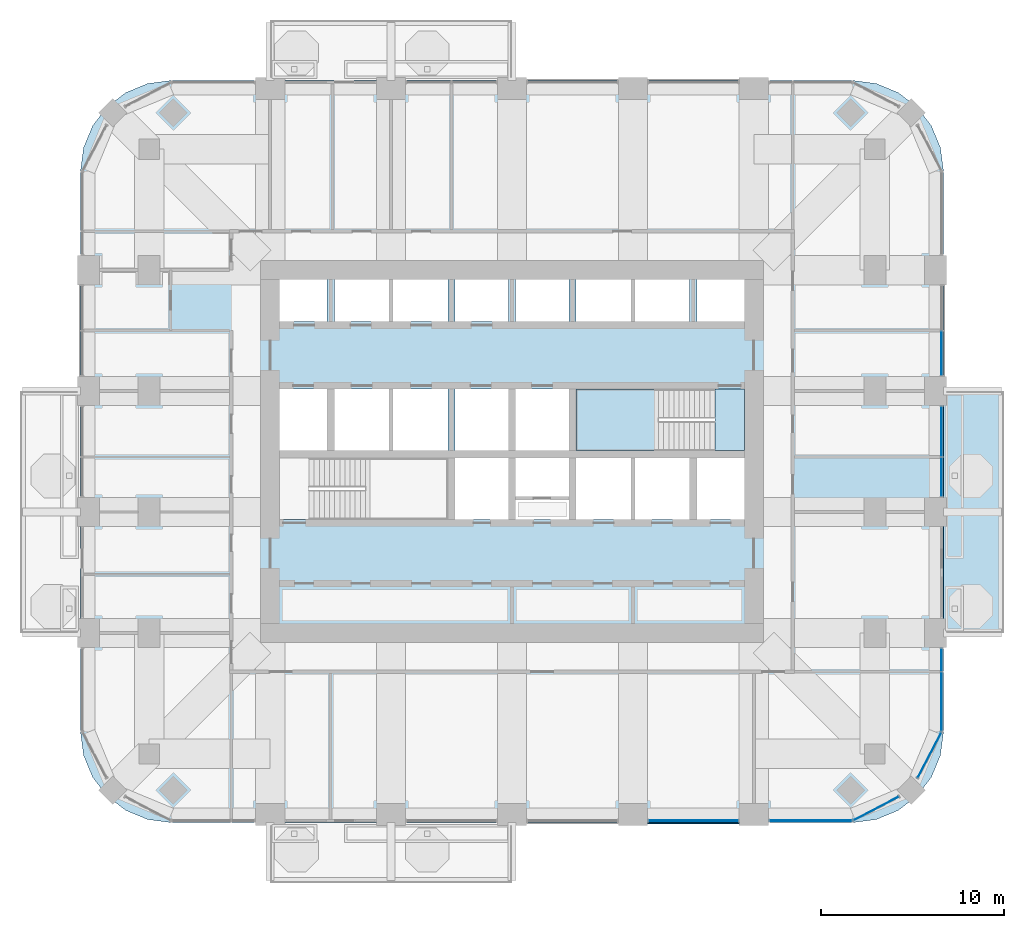
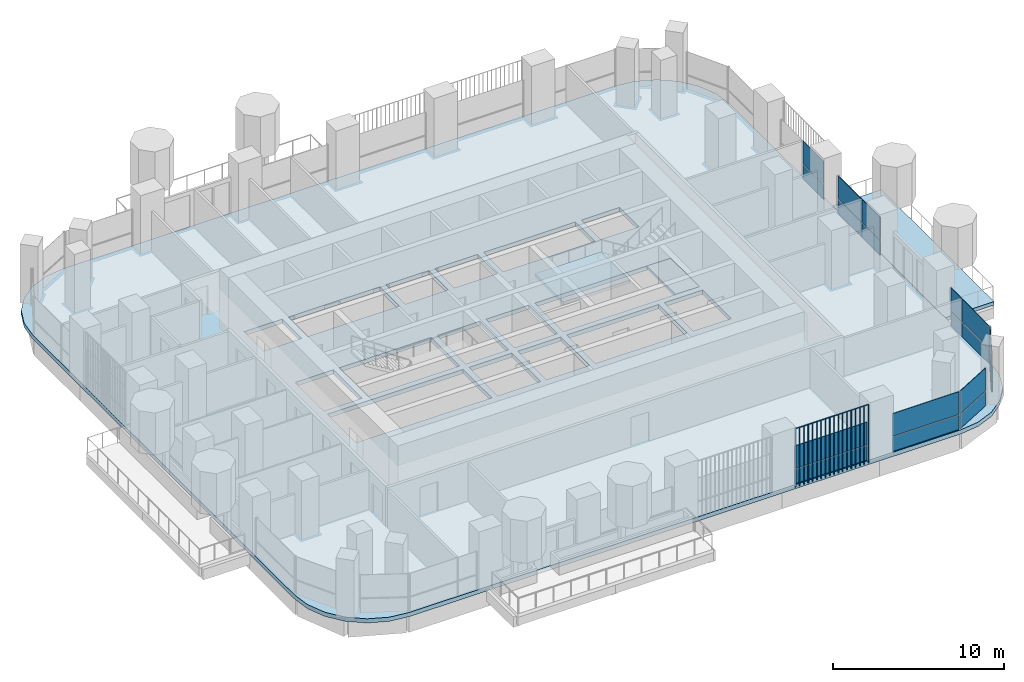
# One storey, part 9 of 20: 19 plates, 4 slabs, 8 elements without a shape of their own.
"""IFC4 building model written with IfcOpenShell, lengths in metres."""

import ifcopenshell
import ifcopenshell.guid

model = None  # the IFC model being written
_history = None  # IfcOwnerHistory: only IFC2X3 demands one
_inside = {}  # id of a spatial element -> (the spatial element, [elements in it])
_under = {}  # id of a project, library or spatial element -> (it, [spatial elements below it])
_declared = {}  # id of a project -> (the project, [libraries it declares])
_typed = {}  # id of a type object -> (the type object, [elements of that type])
_made_of = {}  # id of a material, layer set ... -> (it, [elements and type objects made of it])


def new_model(schema):
    """Start an empty IFC model of exactly this schema.

    Asked for "IFC4X3", IfcOpenShell would pick the latest addendum, in which some entities
    have other attributes; the version numbers below select the first issue.
    IFC2X3 requires an IfcOwnerHistory on every rooted entity: one is made here for all.
    """
    global model, _history
    if schema == "IFC4X3":
        model = ifcopenshell.file(schema_version=(4, 3, 0, 0))
    else:
        model = ifcopenshell.file(schema=schema)
    _inside.clear()
    _under.clear()
    _declared.clear()
    _typed.clear()
    _made_of.clear()
    _history = None
    if model.schema == "IFC2X3":
        org = make("IfcOrganization", Name="unknown")
        user = make(
            "IfcPersonAndOrganization",
            ThePerson=make("IfcPerson", FamilyName="unknown"),
            TheOrganization=org,
        )
        app = make(
            "IfcApplication",
            ApplicationDeveloper=org,
            Version="unknown",
            ApplicationFullName="unknown",
            ApplicationIdentifier="unknown",
        )
        _history = make(
            "IfcOwnerHistory",
            OwningUser=user,
            OwningApplication=app,
            ChangeAction="ADDED",
            CreationDate=0,
        )
    return model


def make(cls, **values):
    """One entity of the class cls with the attributes given. An attribute that is None is left unset."""
    return model.create_entity(
        cls, **{name: value for name, value in values.items() if value is not None}
    )


def rooted(cls, **values):
    """An entity with a GlobalId (a new one), such as an element, a storey or a relation."""
    return make(cls, GlobalId=ifcopenshell.guid.new(), OwnerHistory=_history, **values)


def si_unit(unit_type, name, prefix=None):
    """IfcSIUnit, for example si_unit("LENGTHUNIT", "METRE", prefix="MILLI")."""
    return make("IfcSIUnit", UnitType=unit_type, Prefix=prefix, Name=name)


def assignment(units):
    """IfcUnitAssignment: the units of a project."""
    return None if units is None else make("IfcUnitAssignment", Units=units)


def point(xyz):
    """IfcCartesianPoint."""
    return None if xyz is None else make("IfcCartesianPoint", Coordinates=xyz)


def direction(xyz):
    """IfcDirection."""
    return None if xyz is None else make("IfcDirection", DirectionRatios=xyz)


def frame(location, z_axis=None, x_axis=None):
    """IfcAxis2Placement3D, a coordinate frame: its origin and axes. An axis left out is left unset."""
    return make(
        "IfcAxis2Placement3D",
        Location=point(location),
        Axis=direction(z_axis),
        RefDirection=direction(x_axis),
    )


def frame_2d(location, x_axis=None):
    """IfcAxis2Placement2D, a coordinate frame in the plane: its origin and x axis."""
    return make(
        "IfcAxis2Placement2D", Location=point(location), RefDirection=direction(x_axis)
    )


def origin():
    """The frame at (0, 0, 0) with its axes left unset."""
    return frame((0.0, 0.0, 0.0))


def origin_2d():
    """The frame at (0, 0) in the plane with its x axis left unset."""
    return frame_2d((0.0, 0.0))


def place(relative_to, where):
    """IfcLocalPlacement: puts the frame where relative to a parent placement (None: the world)."""
    return make(
        "IfcLocalPlacement", PlacementRelTo=relative_to, RelativePlacement=where
    )


def context(
    kind, dimensions, precision=None, world=None, true_north=None, identifier=None
):
    """IfcGeometricRepresentationContext, for example the 3D "Model" context."""
    return make(
        "IfcGeometricRepresentationContext",
        ContextIdentifier=identifier,
        ContextType=kind,
        CoordinateSpaceDimension=dimensions,
        Precision=precision,
        WorldCoordinateSystem=world,
        TrueNorth=true_north,
    )


def subcontext(parent, identifier, kind, view, scale=None):
    """IfcGeometricRepresentationSubContext, for example "Body" below "Model"."""
    return make(
        "IfcGeometricRepresentationSubContext",
        ContextIdentifier=identifier,
        ContextType=kind,
        ParentContext=parent,
        TargetScale=scale,
        TargetView=view,
    )


def project(units=None, contexts=None):
    """IfcProject with its units and contexts."""
    return rooted(
        "IfcProject",
        Name="project",
        RepresentationContexts=contexts,
        UnitsInContext=assignment(units),
    )


def spatial(cls, under=None, at=None, **own):
    """A site, building, storey or space (cls), placed at a placement, below another one or the project."""
    s = rooted(cls, ObjectPlacement=at, **own)
    if under is not None:
        _under.setdefault(under.id(), (under, []))[1].append(s)
    return s


def polyline(points):
    """IfcPolyline through the points."""
    return make("IfcPolyline", Points=[point(p) for p in points])


def profile(cls, at=None, kind="AREA", **sizes):
    """A parametric profile (cls). Its sizes go by their IFC names, for example OverallWidth=200.0."""
    return make(cls, ProfileType=kind, Position=at, **sizes)


def rectangle(**sizes):
    """IfcRectangleProfileDef."""
    return profile("IfcRectangleProfileDef", **sizes)


def outline(outer, holes=None, kind="AREA"):
    """IfcArbitraryClosedProfileDef: a profile drawn as a closed curve; with holes, ...WithVoids."""
    if holes is None:
        return make("IfcArbitraryClosedProfileDef", ProfileType=kind, OuterCurve=outer)
    return make(
        "IfcArbitraryProfileDefWithVoids",
        ProfileType=kind,
        OuterCurve=outer,
        InnerCurves=holes,
    )


def extrude(swept, where, along, depth):
    """IfcExtrudedAreaSolid: the profile swept, set in the frame where, extruded along a direction by depth."""
    return make(
        "IfcExtrudedAreaSolid",
        SweptArea=swept,
        Position=where,
        ExtrudedDirection=direction(along),
        Depth=depth,
    )


def shape(context_of_items, identifier, shape_type, items):
    """IfcShapeRepresentation: the items that make up one representation, for example the "Body"."""
    return make(
        "IfcShapeRepresentation",
        ContextOfItems=context_of_items,
        RepresentationIdentifier=identifier,
        RepresentationType=shape_type,
        Items=items,
    )


def material(Name=None, Category=None):
    """IfcMaterial."""
    return make("IfcMaterial", Name=Name, Category=Category)


def layer(
    of_material, thickness, ventilated=None, Name=None, Category=None, Priority=None
):
    """IfcMaterialLayer: one layer of a wall or slab, of a material (None: an air gap)."""
    return make(
        "IfcMaterialLayer",
        Material=of_material,
        LayerThickness=thickness,
        IsVentilated=ventilated,
        Name=Name,
        Category=Category,
        Priority=Priority,
    )


def layer_set(layers, Name=None):
    """IfcMaterialLayerSet."""
    return make("IfcMaterialLayerSet", MaterialLayers=layers, LayerSetName=Name)


def made_of(thing, what):
    """Note that an element or type object is made of a material, layer set ...; save() writes the relation."""
    if what is not None:
        _made_of.setdefault(what.id(), (what, []))[1].append(thing)
    return thing


def type_object(cls, material=None, **own):
    """A type object (cls), such as IfcWallType, which elements share."""
    return made_of(rooted(cls, **own), material)


def element(
    cls,
    number,
    at=None,
    inside=None,
    cuts=None,
    type_object=None,
    material=None,
    context=None,
    identifier="Body",
    shape_type=None,
    held_by="IfcProductDefinitionShape",
    body=None,
    shapes=None,
    **own,
):
    """One element of the class cls, such as IfcWall. Its Tag is "e" and its number.

    at: its placement. inside: the storey or other place that contains it. cuts: it is an
    opening in that element (IfcRelVoidsElement). A single representation is given by context,
    identifier, shape_type and body (its items); several are given by shapes. held_by: the class
    of the entity that holds the representations. save() writes the other relations.
    """
    e = rooted(cls, Tag="e%d" % number, ObjectPlacement=at, **own)
    if body is not None:
        shapes = [shape(context, identifier, shape_type, body)]
    if shapes is not None:
        e.Representation = make(held_by, Representations=shapes)
    if inside is not None:
        _inside.setdefault(inside.id(), (inside, []))[1].append(e)
    if cuts is not None:
        rooted(
            "IfcRelVoidsElement", RelatingBuildingElement=cuts, RelatedOpeningElement=e
        )
    if type_object is not None:
        _typed.setdefault(type_object.id(), (type_object, []))[1].append(e)
    return made_of(e, material)


def aggregate(whole, parts):
    """IfcRelAggregates: a whole, such as a stair, and the parts it consists of."""
    return rooted("IfcRelAggregates", RelatingObject=whole, RelatedObjects=parts)


def save(model, path):
    """Write the relations noted so far, then the file.

    IfcRelAggregates (storeys below a building ...), IfcRelContainedInSpatialStructure (elements
    in a storey), IfcRelDefinesByType, IfcRelAssociatesMaterial and IfcRelDeclares: one each for
    every whole, place, type object, material and project.
    """
    for whole, parts in _under.values():
        aggregate(whole, parts)
    for where, things in _inside.values():
        rooted(
            "IfcRelContainedInSpatialStructure",
            RelatedElements=things,
            RelatingStructure=where,
        )
    for kind, things in _typed.values():
        rooted("IfcRelDefinesByType", RelatedObjects=things, RelatingType=kind)
    for what, things in _made_of.values():
        rooted("IfcRelAssociatesMaterial", RelatedObjects=things, RelatingMaterial=what)
    for by, libraries in _declared.values():
        rooted("IfcRelDeclares", RelatingContext=by, RelatedDefinitions=libraries)
    model.write(path)


model = new_model("IFC4")

# Units and contexts
model_context = context("Model", 3, precision=1e-05, world=origin(), true_north=direction((0.0, 1.0)))
body_context = subcontext(model_context, "Body", "Model", "MODEL_VIEW")
ifc_project = project(units=[si_unit("LENGTHUNIT", "METRE"), si_unit("AREAUNIT", "SQUARE_METRE"), si_unit("VOLUMEUNIT", "CUBIC_METRE"), si_unit("PLANEANGLEUNIT", "RADIAN"), si_unit("MASSUNIT", "GRAM", prefix="KILO")], contexts=[model_context])

# Site, building, storey
site_placement = place(None, origin())
site = spatial("IfcSite", under=ifc_project, at=site_placement, CompositionType="ELEMENT")
building_placement = place(site_placement, origin())
building = spatial("IfcBuilding", under=site, at=building_placement, Name="Cobogo Forest Laboratory Tower", CompositionType="ELEMENT")
storey_placement = place(building_placement, frame((0.0, 0.0, 201.89990234375)))
storey = spatial("IfcBuildingStorey", under=building, at=storey_placement, Name="L46", CompositionType="ELEMENT", Elevation=201.89990234375)

# Slabs
ifc_material_1 = material(Name="Concrete HA-40 (C40/50)", Category="concrete")
ifc_layer_1 = layer(ifc_material_1, 0.25)
ifc_layer_set_1 = layer_set([ifc_layer_1], Name="Balcony slab 250")
slab_type_1 = type_object("IfcSlabType", Name="Balcony slab 250", PredefinedType="FLOOR", material=ifc_layer_set_1)
slab_1_placement = place(storey_placement, frame((0.0, 0.0, -0.25)))
element("IfcSlab", 1, at=slab_1_placement, inside=storey, type_object=slab_type_1, Name="Balcony BAL-E1 L46", PredefinedType="FLOOR", context=body_context, shape_type="SweptSolid", body=[
    extrude(outline(polyline([(49.949951171875, 13.199951171875), (53.25, 13.199951171875), (53.25, 26.39990234375), (49.949951171875, 26.39990234375), (49.949951171875, 13.199951171875)])), origin(), (0.0, 0.0, 1.0), 0.25),
])
ifc_layer_2 = layer(ifc_material_1, 0.300048828125)
ifc_layer_set_2 = layer_set([ifc_layer_2], Name="Floor slab 300")
slab_type_2 = type_object("IfcSlabType", Name="Floor slab 300", PredefinedType="FLOOR", material=ifc_layer_set_2)
slab_2_placement = place(storey_placement, frame((0.0, 0.0, -0.2998046875)))
element("IfcSlab", 2, at=slab_2_placement, inside=storey, type_object=slab_type_2, Name="L46 floor slab", PredefinedType="FLOOR", context=body_context, shape_type="SweptSolid", body=[
    extrude(outline(polyline([(45.0, 2.85009765625), (46.28125, 3.0185546875), (47.47509765625, 3.51318359375), (48.500244140625, 4.2998046875), (49.286865234375, 5.324951171875), (49.78125, 6.518798828125), (49.949951171875, 7.800048828125), (49.949951171875, 38.39990234375), (49.78125, 39.68115234375), (49.286865234375, 40.875), (48.500244140625, 41.900146484375), (47.47509765625, 42.686767578125), (46.28125, 43.181396484375), (45.0, 43.35009765625), (7.800048828125, 43.35009765625), (6.518798828125, 43.181396484375), (5.324951171875, 42.686767578125), (4.2998046875, 41.900146484375), (3.51318359375, 40.875), (3.0185546875, 39.68115234375), (2.85009765625, 38.39990234375), (2.85009765625, 7.800048828125), (3.0185546875, 6.518798828125), (3.51318359375, 5.324951171875), (4.2998046875, 4.2998046875), (5.324951171875, 3.51318359375), (6.518798828125, 3.0185546875), (7.800048828125, 2.85009765625), (45.0, 2.85009765625)]), holes=[polyline([(22.89990234375, 19.39990234375), (13.72509765625, 19.39990234375), (13.72509765625, 22.75), (22.89990234375, 22.75), (22.89990234375, 19.39990234375)]), polyline([(26.199951171875, 19.39990234375), (23.300048828125, 19.39990234375), (23.300048828125, 22.75), (26.199951171875, 22.75), (26.199951171875, 19.39990234375)]), polyline([(29.5, 19.39990234375), (26.60009765625, 19.39990234375), (26.60009765625, 22.75), (29.5, 22.75), (29.5, 19.39990234375)]), polyline([(36.10009765625, 22.75), (36.10009765625, 19.39990234375), (29.89990234375, 19.39990234375), (29.89990234375, 22.75), (36.10009765625, 22.75)]), polyline([(36.5, 19.39990234375), (36.5, 22.75), (39.074951171875, 22.75), (39.074951171875, 19.39990234375), (36.5, 19.39990234375)]), polyline([(16.300048828125, 23.14990234375), (13.72509765625, 23.14990234375), (13.72509765625, 26.5), (16.300048828125, 26.5), (16.300048828125, 23.14990234375)]), polyline([(22.89990234375, 26.5), (22.89990234375, 23.14990234375), (16.699951171875, 23.14990234375), (16.699951171875, 26.5), (22.89990234375, 26.5)]), polyline([(26.199951171875, 23.14990234375), (23.300048828125, 23.14990234375), (23.300048828125, 26.5), (26.199951171875, 26.5), (26.199951171875, 23.14990234375)]), polyline([(26.60009765625, 23.14990234375), (26.60009765625, 26.5), (29.5, 26.5), (29.5, 23.14990234375), (26.60009765625, 23.14990234375)]), polyline([(39.074951171875, 23.14990234375), (29.89990234375, 23.14990234375), (29.89990234375, 26.5), (39.074951171875, 26.5), (39.074951171875, 23.14990234375)]), polyline([(16.300048828125, 30.199951171875), (13.72509765625, 30.199951171875), (13.72509765625, 32.47509765625), (16.300048828125, 32.47509765625), (16.300048828125, 30.199951171875)]), polyline([(22.89990234375, 32.47509765625), (22.89990234375, 30.199951171875), (16.699951171875, 30.199951171875), (16.699951171875, 32.47509765625), (22.89990234375, 32.47509765625)]), polyline([(23.300048828125, 30.199951171875), (23.300048828125, 32.47509765625), (26.199951171875, 32.47509765625), (26.199951171875, 30.199951171875), (23.300048828125, 30.199951171875)]), polyline([(29.5, 30.199951171875), (26.60009765625, 30.199951171875), (26.60009765625, 32.47509765625), (29.5, 32.47509765625), (29.5, 30.199951171875)]), polyline([(36.10009765625, 32.47509765625), (36.10009765625, 30.199951171875), (29.89990234375, 30.199951171875), (29.89990234375, 32.47509765625), (36.10009765625, 32.47509765625)]), polyline([(36.5, 30.199951171875), (36.5, 32.47509765625), (39.074951171875, 32.47509765625), (39.074951171875, 30.199951171875), (36.5, 30.199951171875)])]), origin(), (0.0, 0.0, 1.0), 0.2998046875),
])

# Curtain wall, plates
ifc_material_2 = material(Name="Aluminium curtain wall", Category="aluminium")
curtain_wall_type = type_object("IfcCurtainWallType", Name="CW-2 unitised curtain wall, solar control glazing, laboratory floors zones C and D", PredefinedType="USERDEFINED", material=ifc_material_2)
curtain_wall_1_placement = place(storey_placement, origin())
curtain_wall_1 = element("IfcCurtainWall", 3, at=curtain_wall_1_placement, inside=storey, type_object=curtain_wall_type, Name="Curtain wall 05 L46", ObjectType="UNITISED CURTAIN WALL", PredefinedType="USERDEFINED")
ifc_material_3 = material(Name="Solar control insulated glass", Category="glass")
ifc_layer_3 = layer(ifc_material_3, 0.031982421875)
ifc_layer_set_3 = layer_set([ifc_layer_3], Name="GP-2 solar control glass unit 32")
plate_type_1 = type_object("IfcPlateType", Name="GP-2 solar control glass unit 32", PredefinedType="CURTAIN_PANEL", material=ifc_layer_set_3)
plate_1_placement = place(storey_placement, frame((36.300048828125, 2.949951171875, 0.0), z_axis=(0.0, 0.0, 1.0), x_axis=(1.0, 0.0, 0.0)))
plate_1 = element("IfcPlate", 4, at=plate_1_placement, type_object=plate_type_1, Name="CW-2 panel 1.1", PredefinedType="CURTAIN_PANEL", context=body_context, shape_type="SweptSolid", body=[
    extrude(rectangle(XDim=4.8798828125, YDim=0.031982421875, at=origin_2d()), origin(), (0.0, 0.0, 1.0), 1.02001953125),
])
plate_2_placement = place(storey_placement, frame((36.300048828125, 2.949951171875, 1.080078125), z_axis=(0.0, 0.0, 1.0), x_axis=(1.0, 0.0, 0.0)))
plate_2 = element("IfcPlate", 5, at=plate_2_placement, type_object=plate_type_1, Name="CW-2 panel 1.2", PredefinedType="CURTAIN_PANEL", context=body_context, shape_type="SweptSolid", body=[
    extrude(rectangle(XDim=4.8798828125, YDim=0.031982421875, at=origin_2d()), origin(), (0.0, 0.0, 1.0), 1.6201171875),
])
aggregate(curtain_wall_1, [plate_1, plate_2])

curtain_wall_2_placement = place(storey_placement, origin())
curtain_wall_2 = element("IfcCurtainWall", 6, at=curtain_wall_2_placement, inside=storey, type_object=curtain_wall_type, Name="Curtain wall 06 L46", ObjectType="UNITISED CURTAIN WALL", PredefinedType="USERDEFINED")
plate_3_placement = place(storey_placement, frame((42.699951171875, 2.949951171875, 0.0), z_axis=(0.0, 0.0, 1.0), x_axis=(1.0, 0.0, 0.0)))
plate_3 = element("IfcPlate", 7, at=plate_3_placement, type_object=plate_type_1, Name="CW-2 panel 1.1", PredefinedType="CURTAIN_PANEL", context=body_context, shape_type="SweptSolid", body=[
    extrude(rectangle(XDim=4.47998046875, YDim=0.031982421875, at=origin_2d()), origin(), (0.0, 0.0, 1.0), 1.02001953125),
])
plate_4_placement = place(storey_placement, frame((42.699951171875, 2.949951171875, 1.080078125), z_axis=(0.0, 0.0, 1.0), x_axis=(1.0, 0.0, 0.0)))
plate_4 = element("IfcPlate", 8, at=plate_4_placement, type_object=plate_type_1, Name="CW-2 panel 1.2", PredefinedType="CURTAIN_PANEL", context=body_context, shape_type="SweptSolid", body=[
    extrude(rectangle(XDim=4.47998046875, YDim=0.031982421875, at=origin_2d()), origin(), (0.0, 0.0, 1.0), 1.6201171875),
])
aggregate(curtain_wall_2, [plate_3, plate_4])

curtain_wall_3_placement = place(storey_placement, origin())
curtain_wall_3 = element("IfcCurtainWall", 9, at=curtain_wall_3_placement, inside=storey, type_object=curtain_wall_type, Name="Curtain wall 07 L46", ObjectType="UNITISED CURTAIN WALL", PredefinedType="USERDEFINED")
plate_5_placement = place(storey_placement, frame((46.275634765625, 3.61865234375, 0.0), z_axis=(0.0, 0.0, 1.0), x_axis=(0.885686484356, 0.464283804832, 0.0)))
plate_5 = element("IfcPlate", 10, at=plate_5_placement, type_object=plate_type_1, Name="CW-2 panel 1.1", PredefinedType="CURTAIN_PANEL", context=body_context, shape_type="SweptSolid", body=[
    extrude(rectangle(XDim=2.76025390625, YDim=0.031982421875, at=origin_2d()), origin(), (0.0, 0.0, 1.0), 1.02001953125),
])
plate_6_placement = place(storey_placement, frame((46.275634765625, 3.61865234375, 1.080078125), z_axis=(0.0, 0.0, 1.0), x_axis=(0.885686484356, 0.464283804832, 0.0)))
plate_6 = element("IfcPlate", 11, at=plate_6_placement, type_object=plate_type_1, Name="CW-2 panel 1.2", PredefinedType="CURTAIN_PANEL", context=body_context, shape_type="SweptSolid", body=[
    extrude(rectangle(XDim=2.76025390625, YDim=0.031982421875, at=origin_2d()), origin(), (0.0, 0.0, 1.0), 1.6201171875),
])
aggregate(curtain_wall_3, [plate_5, plate_6])

curtain_wall_4_placement = place(storey_placement, origin())
curtain_wall_4 = element("IfcCurtainWall", 12, at=curtain_wall_4_placement, inside=storey, type_object=curtain_wall_type, Name="Curtain wall 08 L46", ObjectType="UNITISED CURTAIN WALL", PredefinedType="USERDEFINED")
plate_7_placement = place(storey_placement, frame((49.181396484375, 6.5244140625, 0.0), z_axis=(0.0, 0.0, 1.0), x_axis=(0.464283804832, 0.885686484356, 0.0)))
plate_7 = element("IfcPlate", 13, at=plate_7_placement, type_object=plate_type_1, Name="CW-2 panel 1.1", PredefinedType="CURTAIN_PANEL", context=body_context, shape_type="SweptSolid", body=[
    extrude(rectangle(XDim=2.76025390625, YDim=0.031982421875, at=origin_2d()), origin(), (0.0, 0.0, 1.0), 1.02001953125),
])
plate_8_placement = place(storey_placement, frame((49.181396484375, 6.5244140625, 1.080078125), z_axis=(0.0, 0.0, 1.0), x_axis=(0.464283804832, 0.885686484356, 0.0)))
plate_8 = element("IfcPlate", 14, at=plate_8_placement, type_object=plate_type_1, Name="CW-2 panel 1.2", PredefinedType="CURTAIN_PANEL", context=body_context, shape_type="SweptSolid", body=[
    extrude(rectangle(XDim=2.76025390625, YDim=0.031982421875, at=origin_2d()), origin(), (0.0, 0.0, 1.0), 1.6201171875),
])
aggregate(curtain_wall_4, [plate_7, plate_8])

curtain_wall_5_placement = place(storey_placement, origin())
curtain_wall_5 = element("IfcCurtainWall", 15, at=curtain_wall_5_placement, inside=storey, type_object=curtain_wall_type, Name="Curtain wall 09 L46", ObjectType="UNITISED CURTAIN WALL", PredefinedType="USERDEFINED")
plate_9_placement = place(storey_placement, frame((49.85009765625, 9.452392578125, 0.0), z_axis=(0.0, 0.0, 1.0), x_axis=(0.0, 1.0, 0.0)))
plate_9 = element("IfcPlate", 16, at=plate_9_placement, type_object=plate_type_1, Name="CW-2 panel 1.1", PredefinedType="CURTAIN_PANEL", context=body_context, shape_type="SweptSolid", body=[
    extrude(rectangle(XDim=3.18505859375, YDim=0.031982421875, at=origin_2d()), origin(), (0.0, 0.0, 1.0), 1.02001953125),
])
plate_10_placement = place(storey_placement, frame((49.85009765625, 9.452392578125, 1.080078125), z_axis=(0.0, 0.0, 1.0), x_axis=(0.0, 1.0, 0.0)))
plate_10 = element("IfcPlate", 17, at=plate_10_placement, type_object=plate_type_1, Name="CW-2 panel 1.2", PredefinedType="CURTAIN_PANEL", context=body_context, shape_type="SweptSolid", body=[
    extrude(rectangle(XDim=3.18505859375, YDim=0.031982421875, at=origin_2d()), origin(), (0.0, 0.0, 1.0), 1.6201171875),
])
plate_11_placement = place(storey_placement, frame((49.85009765625, 11.722412109375, 0.0), z_axis=(0.0, 0.0, 1.0), x_axis=(0.0, 1.0, 0.0)))
plate_11 = element("IfcPlate", 18, at=plate_11_placement, type_object=plate_type_1, Name="CW-2 panel 2.1", PredefinedType="CURTAIN_PANEL", context=body_context, shape_type="SweptSolid", body=[
    extrude(rectangle(XDim=1.235107421875, YDim=0.031982421875, at=origin_2d()), origin(), (0.0, 0.0, 1.0), 1.02001953125),
])
plate_12_placement = place(storey_placement, frame((49.85009765625, 11.722412109375, 1.080078125), z_axis=(0.0, 0.0, 1.0), x_axis=(0.0, 1.0, 0.0)))
plate_12 = element("IfcPlate", 19, at=plate_12_placement, type_object=plate_type_1, Name="CW-2 panel 2.2", PredefinedType="CURTAIN_PANEL", context=body_context, shape_type="SweptSolid", body=[
    extrude(rectangle(XDim=1.235107421875, YDim=0.031982421875, at=origin_2d()), origin(), (0.0, 0.0, 1.0), 1.6201171875),
])
aggregate(curtain_wall_5, [plate_9, plate_10, plate_11, plate_12])

curtain_wall_6_placement = place(storey_placement, origin())
curtain_wall_6 = element("IfcCurtainWall", 20, at=curtain_wall_6_placement, inside=storey, type_object=curtain_wall_type, Name="Curtain wall 11 L46", ObjectType="UNITISED CURTAIN WALL", PredefinedType="USERDEFINED")
plate_13_placement = place(storey_placement, frame((49.85009765625, 21.715087890625, 0.0), z_axis=(0.0, 0.0, 1.0), x_axis=(0.0, 1.0, 0.0)))
plate_13 = element("IfcPlate", 21, at=plate_13_placement, type_object=plate_type_1, Name="CW-2 panel 1.1", PredefinedType="CURTAIN_PANEL", context=body_context, shape_type="SweptSolid", body=[
    extrude(rectangle(XDim=2.110107421875, YDim=0.031982421875, at=origin_2d()), origin(), (0.0, 0.0, 1.0), 1.02001953125),
])
plate_14_placement = place(storey_placement, frame((49.85009765625, 21.715087890625, 1.080078125), z_axis=(0.0, 0.0, 1.0), x_axis=(0.0, 1.0, 0.0)))
plate_14 = element("IfcPlate", 22, at=plate_14_placement, type_object=plate_type_1, Name="CW-2 panel 1.2", PredefinedType="CURTAIN_PANEL", context=body_context, shape_type="SweptSolid", body=[
    extrude(rectangle(XDim=2.110107421875, YDim=0.031982421875, at=origin_2d()), origin(), (0.0, 0.0, 1.0), 1.6201171875),
])
plate_15_placement = place(storey_placement, frame((49.85009765625, 24.18505859375, 0.0), z_axis=(0.0, 0.0, 1.0), x_axis=(0.0, 1.0, 0.0)))
plate_15 = element("IfcPlate", 23, at=plate_15_placement, type_object=plate_type_1, Name="CW-2 panel 2.1", PredefinedType="CURTAIN_PANEL", context=body_context, shape_type="SweptSolid", body=[
    extrude(rectangle(XDim=2.7099609375, YDim=0.031982421875, at=origin_2d()), origin(), (0.0, 0.0, 1.0), 1.02001953125),
])
plate_16_placement = place(storey_placement, frame((49.85009765625, 24.18505859375, 1.080078125), z_axis=(0.0, 0.0, 1.0), x_axis=(0.0, 1.0, 0.0)))
plate_16 = element("IfcPlate", 24, at=plate_16_placement, type_object=plate_type_1, Name="CW-2 panel 2.2", PredefinedType="CURTAIN_PANEL", context=body_context, shape_type="SweptSolid", body=[
    extrude(rectangle(XDim=2.7099609375, YDim=0.031982421875, at=origin_2d()), origin(), (0.0, 0.0, 1.0), 1.6201171875),
])
aggregate(curtain_wall_6, [plate_13, plate_14, plate_15, plate_16])

curtain_wall_7_placement = place(storey_placement, origin())
curtain_wall_7 = element("IfcCurtainWall", 25, at=curtain_wall_7_placement, inside=storey, type_object=curtain_wall_type, Name="Curtain wall 12 L46", ObjectType="UNITISED CURTAIN WALL", PredefinedType="USERDEFINED")
plate_17_placement = place(storey_placement, frame((49.85009765625, 28.465087890625, 0.0), z_axis=(0.0, 0.0, 1.0), x_axis=(0.0, 1.0, 0.0)))
plate_17 = element("IfcPlate", 26, at=plate_17_placement, type_object=plate_type_1, Name="CW-2 panel 1.1", PredefinedType="CURTAIN_PANEL", context=body_context, shape_type="SweptSolid", body=[
    extrude(rectangle(XDim=2.409912109375, YDim=0.031982421875, at=origin_2d()), origin(), (0.0, 0.0, 1.0), 1.02001953125),
])
plate_18_placement = place(storey_placement, frame((49.85009765625, 28.465087890625, 1.080078125), z_axis=(0.0, 0.0, 1.0), x_axis=(0.0, 1.0, 0.0)))
plate_18 = element("IfcPlate", 27, at=plate_18_placement, type_object=plate_type_1, Name="CW-2 panel 1.2", PredefinedType="CURTAIN_PANEL", context=body_context, shape_type="SweptSolid", body=[
    extrude(rectangle(XDim=2.409912109375, YDim=0.031982421875, at=origin_2d()), origin(), (0.0, 0.0, 1.0), 1.6201171875),
])
aggregate(curtain_wall_7, [plate_17, plate_18])

# Stair, slabs
ifc_material_4 = material(Name="Precast concrete HA-40 (C40/50)", Category="concrete")
stair_type = type_object("IfcStairType", Name="ST24 exit stair 24 risers", PredefinedType="HALF_TURN_STAIR", material=ifc_material_4)
stair_placement = place(storey_placement, origin())
stair = element("IfcStair", 28, at=stair_placement, inside=storey, type_object=stair_type, Name="Stair 2 L46 to L47", PredefinedType="HALF_TURN_STAIR")
ifc_layer_4 = layer(ifc_material_1, 0.199951171875)
ifc_layer_set_4 = layer_set([ifc_layer_4], Name="SL stair landing 200")
slab_type_3 = type_object("IfcSlabType", Name="SL stair landing 200", PredefinedType="LANDING", material=ifc_layer_set_4)
slab_3_placement = place(storey_placement, frame((0.0, 0.0, -0.199951171875)))
slab_3 = element("IfcSlab", 29, at=slab_3_placement, type_object=slab_type_3, Name="ST2 landing 1", PredefinedType="LANDING", context=body_context, shape_type="SweptSolid", body=[
    extrude(outline(polyline([(37.472900390625, 23.14990234375), (39.074951171875, 23.14990234375), (39.074951171875, 26.5), (37.472900390625, 26.5), (37.472900390625, 23.14990234375)])), origin(), (0.0, 0.0, 1.0), 0.199951171875),
])
slab_4_placement = place(storey_placement, frame((0.0, 0.0, 1.900146484375)))
slab_4 = element("IfcSlab", 30, at=slab_4_placement, type_object=slab_type_3, Name="ST2 landing 2", PredefinedType="LANDING", context=body_context, shape_type="SweptSolid", body=[
    extrude(outline(polyline([(29.89990234375, 23.14990234375), (34.39697265625, 23.14990234375), (34.39697265625, 26.5), (29.89990234375, 26.5), (29.89990234375, 23.14990234375)])), origin(), (0.0, 0.0, 1.0), 0.199951171875),
])
aggregate(stair, [slab_3, slab_4])

# Plate
ifc_material_5 = material(Name="Terracotta", Category="masonry")
plate_type_2 = type_object("IfcPlateType", Name="TB1 terracotta baguette screen", PredefinedType="USERDEFINED", material=ifc_material_5)
plate_19_placement = place(storey_placement, frame((33.831298828125, 2.822021484375, -0.14990234375)))
element("IfcPlate", 31, at=plate_19_placement, inside=storey, type_object=plate_type_2, Name="Baguette screen S4 L46", ObjectType="BAGUETTE SCREEN", PredefinedType="USERDEFINED", context=body_context, shape_type="SweptSolid", body=[
    extrude(outline(polyline([(0.02880859375, 0.011962890625), (0.011962890625, 0.02880859375), (-0.011962890625, 0.02880859375), (-0.02880859375, 0.011962890625), (-0.02880859375, -0.011962890625), (-0.011962890625, -0.02880859375), (0.011962890625, -0.02880859375), (0.02880859375, -0.011962890625), (0.02880859375, 0.011962890625)])), frame((0.0, 0.0, 4.168701171875), z_axis=(1.0, 0.0, 0.0), x_axis=(0.0, 1.0, 0.0)), (0.0, 0.0, 1.0), 4.9375),
    extrude(outline(polyline([(0.02880859375, 0.011962890625), (0.011962890625, 0.02880859375), (-0.011962890625, 0.02880859375), (-0.02880859375, 0.011962890625), (-0.02880859375, -0.011962890625), (-0.011962890625, -0.02880859375), (0.011962890625, -0.02880859375), (0.02880859375, -0.011962890625), (0.02880859375, 0.011962890625)])), origin(), (0.0, 0.0, 1.0), 4.137451171875),
    extrude(outline(polyline([(0.02880859375, 0.011962890625), (0.011962890625, 0.02880859375), (-0.011962890625, 0.02880859375), (-0.02880859375, 0.011962890625), (-0.02880859375, -0.011962890625), (-0.011962890625, -0.02880859375), (0.011962890625, -0.02880859375), (0.02880859375, -0.011962890625), (0.02880859375, 0.011962890625)])), frame((0.29052734375, 0.0, 0.0)), (0.0, 0.0, 1.0), 4.137451171875),
    extrude(outline(polyline([(0.02880859375, 0.011962890625), (0.011962890625, 0.02880859375), (-0.011962890625, 0.02880859375), (-0.02880859375, 0.011962890625), (-0.02880859375, -0.011962890625), (-0.011962890625, -0.02880859375), (0.011962890625, -0.02880859375), (0.02880859375, -0.011962890625), (0.02880859375, 0.011962890625)])), frame((0.580810546875, 0.0, 0.0)), (0.0, 0.0, 1.0), 4.137451171875),
    extrude(outline(polyline([(0.02880859375, 0.011962890625), (0.011962890625, 0.02880859375), (-0.011962890625, 0.02880859375), (-0.02880859375, 0.011962890625), (-0.02880859375, -0.011962890625), (-0.011962890625, -0.02880859375), (0.011962890625, -0.02880859375), (0.02880859375, -0.011962890625), (0.02880859375, 0.011962890625)])), frame((0.871337890625, 0.0, 0.0)), (0.0, 0.0, 1.0), 4.137451171875),
    extrude(outline(polyline([(0.02880859375, 0.011962890625), (0.011962890625, 0.02880859375), (-0.011962890625, 0.02880859375), (-0.02880859375, 0.011962890625), (-0.02880859375, -0.011962890625), (-0.011962890625, -0.02880859375), (0.011962890625, -0.02880859375), (0.02880859375, -0.011962890625), (0.02880859375, 0.011962890625)])), frame((1.161865234375, 0.0, 0.0)), (0.0, 0.0, 1.0), 4.137451171875),
    extrude(outline(polyline([(0.02880859375, 0.011962890625), (0.011962890625, 0.02880859375), (-0.011962890625, 0.02880859375), (-0.02880859375, 0.011962890625), (-0.02880859375, -0.011962890625), (-0.011962890625, -0.02880859375), (0.011962890625, -0.02880859375), (0.02880859375, -0.011962890625), (0.02880859375, 0.011962890625)])), frame((1.4521484375, 0.0, 0.0)), (0.0, 0.0, 1.0), 4.137451171875),
    extrude(outline(polyline([(0.02880859375, 0.011962890625), (0.011962890625, 0.02880859375), (-0.011962890625, 0.02880859375), (-0.02880859375, 0.011962890625), (-0.02880859375, -0.011962890625), (-0.011962890625, -0.02880859375), (0.011962890625, -0.02880859375), (0.02880859375, -0.011962890625), (0.02880859375, 0.011962890625)])), frame((1.74267578125, 0.0, 0.0)), (0.0, 0.0, 1.0), 4.137451171875),
    extrude(outline(polyline([(0.02880859375, 0.011962890625), (0.011962890625, 0.02880859375), (-0.011962890625, 0.02880859375), (-0.02880859375, 0.011962890625), (-0.02880859375, -0.011962890625), (-0.011962890625, -0.02880859375), (0.011962890625, -0.02880859375), (0.02880859375, -0.011962890625), (0.02880859375, 0.011962890625)])), frame((2.033203125, 0.0, 0.0)), (0.0, 0.0, 1.0), 4.137451171875),
    extrude(outline(polyline([(0.02880859375, 0.011962890625), (0.011962890625, 0.02880859375), (-0.011962890625, 0.02880859375), (-0.02880859375, 0.011962890625), (-0.02880859375, -0.011962890625), (-0.011962890625, -0.02880859375), (0.011962890625, -0.02880859375), (0.02880859375, -0.011962890625), (0.02880859375, 0.011962890625)])), frame((2.323486328125, 0.0, 0.0)), (0.0, 0.0, 1.0), 4.137451171875),
    extrude(outline(polyline([(0.02880859375, 0.011962890625), (0.011962890625, 0.02880859375), (-0.011962890625, 0.02880859375), (-0.02880859375, 0.011962890625), (-0.02880859375, -0.011962890625), (-0.011962890625, -0.02880859375), (0.011962890625, -0.02880859375), (0.02880859375, -0.011962890625), (0.02880859375, 0.011962890625)])), frame((2.614013671875, 0.0, 0.0)), (0.0, 0.0, 1.0), 4.137451171875),
    extrude(outline(polyline([(0.02880859375, 0.011962890625), (0.011962890625, 0.02880859375), (-0.011962890625, 0.02880859375), (-0.02880859375, 0.011962890625), (-0.02880859375, -0.011962890625), (-0.011962890625, -0.02880859375), (0.011962890625, -0.02880859375), (0.02880859375, -0.011962890625), (0.02880859375, 0.011962890625)])), frame((2.904296875, 0.0, 0.0)), (0.0, 0.0, 1.0), 4.137451171875),
    extrude(outline(polyline([(0.02880859375, 0.011962890625), (0.011962890625, 0.02880859375), (-0.011962890625, 0.02880859375), (-0.02880859375, 0.011962890625), (-0.02880859375, -0.011962890625), (-0.011962890625, -0.02880859375), (0.011962890625, -0.02880859375), (0.02880859375, -0.011962890625), (0.02880859375, 0.011962890625)])), frame((3.19482421875, 0.0, 0.0)), (0.0, 0.0, 1.0), 4.137451171875),
    extrude(outline(polyline([(0.02880859375, 0.011962890625), (0.011962890625, 0.02880859375), (-0.011962890625, 0.02880859375), (-0.02880859375, 0.011962890625), (-0.02880859375, -0.011962890625), (-0.011962890625, -0.02880859375), (0.011962890625, -0.02880859375), (0.02880859375, -0.011962890625), (0.02880859375, 0.011962890625)])), frame((3.4853515625, 0.0, 0.0)), (0.0, 0.0, 1.0), 4.137451171875),
    extrude(outline(polyline([(0.02880859375, 0.011962890625), (0.011962890625, 0.02880859375), (-0.011962890625, 0.02880859375), (-0.02880859375, 0.011962890625), (-0.02880859375, -0.011962890625), (-0.011962890625, -0.02880859375), (0.011962890625, -0.02880859375), (0.02880859375, -0.011962890625), (0.02880859375, 0.011962890625)])), frame((3.775634765625, 0.0, 0.0)), (0.0, 0.0, 1.0), 4.137451171875),
    extrude(outline(polyline([(0.02880859375, 0.011962890625), (0.011962890625, 0.02880859375), (-0.011962890625, 0.02880859375), (-0.02880859375, 0.011962890625), (-0.02880859375, -0.011962890625), (-0.011962890625, -0.02880859375), (0.011962890625, -0.02880859375), (0.02880859375, -0.011962890625), (0.02880859375, 0.011962890625)])), frame((4.066162109375, 0.0, 0.0)), (0.0, 0.0, 1.0), 4.137451171875),
    extrude(outline(polyline([(0.02880859375, 0.011962890625), (0.011962890625, 0.02880859375), (-0.011962890625, 0.02880859375), (-0.02880859375, 0.011962890625), (-0.02880859375, -0.011962890625), (-0.011962890625, -0.02880859375), (0.011962890625, -0.02880859375), (0.02880859375, -0.011962890625), (0.02880859375, 0.011962890625)])), frame((4.356689453125, 0.0, 0.0)), (0.0, 0.0, 1.0), 4.137451171875),
    extrude(outline(polyline([(0.02880859375, 0.011962890625), (0.011962890625, 0.02880859375), (-0.011962890625, 0.02880859375), (-0.02880859375, 0.011962890625), (-0.02880859375, -0.011962890625), (-0.011962890625, -0.02880859375), (0.011962890625, -0.02880859375), (0.02880859375, -0.011962890625), (0.02880859375, 0.011962890625)])), frame((4.64697265625, 0.0, 0.0)), (0.0, 0.0, 1.0), 4.137451171875),
    extrude(outline(polyline([(0.02880859375, 0.011962890625), (0.011962890625, 0.02880859375), (-0.011962890625, 0.02880859375), (-0.02880859375, 0.011962890625), (-0.02880859375, -0.011962890625), (-0.011962890625, -0.02880859375), (0.011962890625, -0.02880859375), (0.02880859375, -0.011962890625), (0.02880859375, 0.011962890625)])), frame((4.9375, 0.0, 0.0)), (0.0, 0.0, 1.0), 4.137451171875),
])

save(model, "model.ifc")
